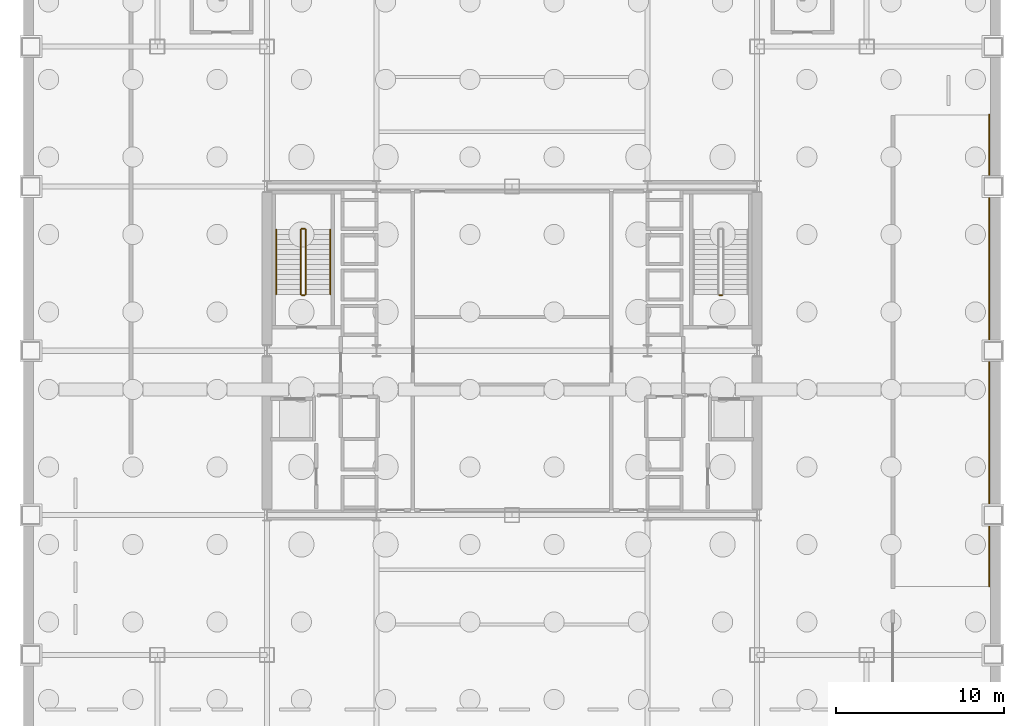
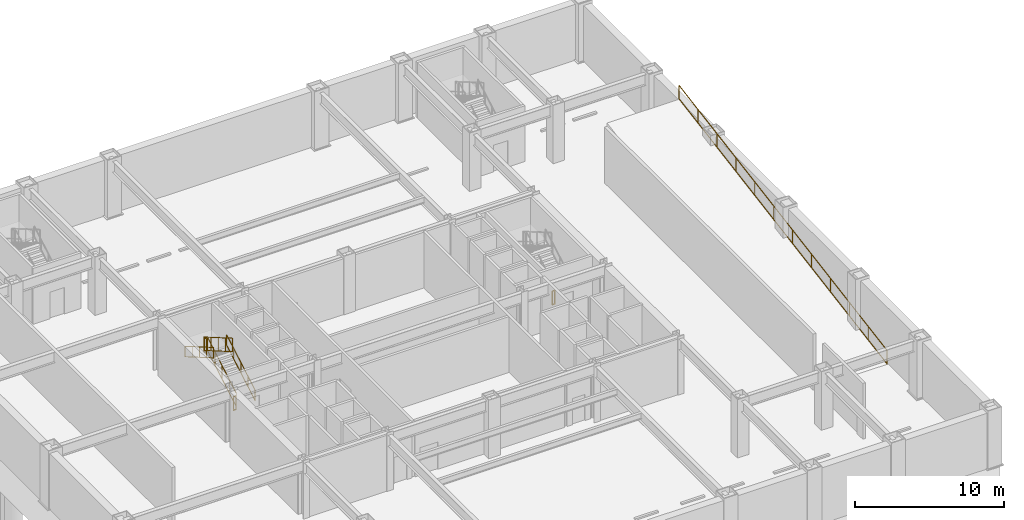
# One storey, part 6 of 8: 8 railings.
"""IFC4 building model written with IfcOpenShell, lengths in metres."""

from ifc_helpers import new_model, si_unit, direction, frame, origin, origin_2d, place, context, subcontext, project, spatial, rectangle, extrude, material, type_object, element, save


model = new_model("IFC4")

# Units and contexts
model_context = context("Model", 3, precision=1e-05, world=origin(), true_north=direction((0.0, 1.0)))
body_context = subcontext(model_context, "Body", "Model", "MODEL_VIEW")
ifc_project = project(units=[si_unit("LENGTHUNIT", "METRE"), si_unit("AREAUNIT", "SQUARE_METRE"), si_unit("VOLUMEUNIT", "CUBIC_METRE"), si_unit("PLANEANGLEUNIT", "RADIAN"), si_unit("MASSUNIT", "GRAM", prefix="KILO")], contexts=[model_context])

# Site, building, storey
site_placement = place(None, origin())
site = spatial("IfcSite", under=ifc_project, at=site_placement, CompositionType="ELEMENT")
building_placement = place(site_placement, origin())
building = spatial("IfcBuilding", under=site, at=building_placement, Name="Brelmoor Portico Tower", CompositionType="ELEMENT")
storey_placement = place(building_placement, frame((0.0, 0.0, -9.60009765625)))
storey = spatial("IfcBuildingStorey", under=building, at=storey_placement, Name="B2", CompositionType="ELEMENT", Elevation=-9.60009765625)

# Railings
ifc_material_1 = material(Name="Painted Tubular Steel Q235B", Category="steel")
railing_type_1 = type_object("IfcRailingType", Name="RL-STAIR-GUARD", PredefinedType="GUARDRAIL", material=ifc_material_1)
railing_1_placement = place(storey_placement, frame((-12.239990234375, 3.35009765625, 0.171630859375)))
element("IfcRailing", 1, at=railing_1_placement, inside=storey, type_object=railing_type_1, Name="B2 ST-W stair guard 1", PredefinedType="GUARDRAIL", context=body_context, shape_type="SweptSolid", body=[
    extrude(rectangle(XDim=0.048095703125, YDim=0.048095703125, at=origin_2d()), frame((0.0, 0.0, 1.1259765625), z_axis=(0.0, 0.86461618451, 0.502432934314), x_axis=(-1.0, 0.0, 0.0)), (0.0, 0.0, 1.0), 4.435546875),
    extrude(rectangle(XDim=0.048095703125, YDim=0.048095703125, at=origin_2d()), frame((0.0, 0.0, 0.02392578125), z_axis=(0.0, 0.86461618451, 0.502432934314), x_axis=(-1.0, 0.0, 0.0)), (0.0, 0.0, 1.0), 4.435546875),
    extrude(rectangle(XDim=0.0419921875, YDim=0.0419921875, at=origin_2d()), origin(), (0.0, 0.0, 1.0), 1.101806640625),
    extrude(rectangle(XDim=0.0419921875, YDim=0.0419921875, at=origin_2d()), frame((0.0, 0.958740234375, 0.55712890625)), (0.0, 0.0, 1.0), 1.101806640625),
    extrude(rectangle(XDim=0.0419921875, YDim=0.0419921875, at=origin_2d()), frame((0.0, 1.91748046875, 1.1142578125)), (0.0, 0.0, 1.0), 1.101806640625),
    extrude(rectangle(XDim=0.0419921875, YDim=0.0419921875, at=origin_2d()), frame((0.0, 2.876220703125, 1.67138671875)), (0.0, 0.0, 1.0), 1.101806640625),
    extrude(rectangle(XDim=0.0419921875, YDim=0.0419921875, at=origin_2d()), frame((0.0, 3.8349609375, 2.228515625)), (0.0, 0.0, 1.0), 1.101806640625),
])
railing_2_placement = place(storey_placement, frame((-12.2900390625, 7.235107421875, 2.400146484375)))
element("IfcRailing", 2, at=railing_2_placement, inside=storey, type_object=railing_type_1, Name="B2 ST-W stair guard 2", PredefinedType="GUARDRAIL", context=body_context, shape_type="SweptSolid", body=[
    extrude(rectangle(XDim=0.048095703125, YDim=0.048095703125, at=origin_2d()), frame((0.0, 0.0, 1.1259765625), z_axis=(-1.0, 0.0, 0.0), x_axis=(0.0, -1.0, 0.0)), (0.0, 0.0, 1.0), 0.199951171875),
    extrude(rectangle(XDim=0.048095703125, YDim=0.048095703125, at=origin_2d()), frame((0.0, 0.0, 0.02392578125), z_axis=(-1.0, 0.0, 0.0), x_axis=(0.0, -1.0, 0.0)), (0.0, 0.0, 1.0), 0.199951171875),
    extrude(rectangle(XDim=0.0419921875, YDim=0.0419921875, at=origin_2d()), origin(), (0.0, 0.0, 1.0), 1.101806640625),
    extrude(rectangle(XDim=0.0419921875, YDim=0.0419921875, at=origin_2d()), frame((-0.199951171875, 0.0, 0.0)), (0.0, 0.0, 1.0), 1.101806640625),
])
railing_3_placement = place(storey_placement, frame((-12.5400390625, 7.18505859375, 2.571533203125)))
element("IfcRailing", 3, at=railing_3_placement, inside=storey, type_object=railing_type_1, Name="B2 ST-W stair guard 3", PredefinedType="GUARDRAIL", context=body_context, shape_type="SweptSolid", body=[
    extrude(rectangle(XDim=0.048095703125, YDim=0.048095703125, at=origin_2d()), frame((0.0, 0.0, 1.1259765625), z_axis=(0.0, -0.86461618451, 0.502432934314), x_axis=(1.0, 0.0, 0.0)), (0.0, 0.0, 1.0), 4.435546875),
    extrude(rectangle(XDim=0.048095703125, YDim=0.048095703125, at=origin_2d()), frame((0.0, 0.0, 0.02392578125), z_axis=(0.0, -0.86461618451, 0.502432934314), x_axis=(1.0, 0.0, 0.0)), (0.0, 0.0, 1.0), 4.435546875),
    extrude(rectangle(XDim=0.0419921875, YDim=0.0419921875, at=origin_2d()), origin(), (0.0, 0.0, 1.0), 1.101806640625),
    extrude(rectangle(XDim=0.0419921875, YDim=0.0419921875, at=origin_2d()), frame((0.0, -0.958740234375, 0.55712890625)), (0.0, 0.0, 1.0), 1.101806640625),
    extrude(rectangle(XDim=0.0419921875, YDim=0.0419921875, at=origin_2d()), frame((0.0, -1.91748046875, 1.1142578125)), (0.0, 0.0, 1.0), 1.101806640625),
    extrude(rectangle(XDim=0.0419921875, YDim=0.0419921875, at=origin_2d()), frame((0.0, -2.876220703125, 1.67138671875)), (0.0, 0.0, 1.0), 1.101806640625),
    extrude(rectangle(XDim=0.0419921875, YDim=0.0419921875, at=origin_2d()), frame((0.0, -3.8349609375, 2.228515625)), (0.0, 0.0, 1.0), 1.101806640625),
])
for number, where, name in (
    (4, (-12.2900390625, 3.300048828125, 0.0), "B2 ST-W stair guard 4"),
    (5, (12.489990234375, 3.300048828125, 0.0), "B2 ST-E stair guard 4"),
):
    element("IfcRailing", number, at=place(storey_placement, frame(where)), inside=storey, type_object=railing_type_1, Name=name, PredefinedType="GUARDRAIL", context=body_context, shape_type="SweptSolid", body=[
        extrude(rectangle(XDim=0.048095703125, YDim=0.048095703125, at=origin_2d()), frame((0.0, 0.0, 1.1259765625), z_axis=(-1.0, 0.0, 0.0), x_axis=(0.0, -1.0, 0.0)), (0.0, 0.0, 1.0), 0.199951171875),
        extrude(rectangle(XDim=0.048095703125, YDim=0.048095703125, at=origin_2d()), frame((0.0, 0.0, 0.02392578125), z_axis=(-1.0, 0.0, 0.0), x_axis=(0.0, -1.0, 0.0)), (0.0, 0.0, 1.0), 0.199951171875),
        extrude(rectangle(XDim=0.0419921875, YDim=0.0419921875, at=origin_2d()), origin(), (0.0, 0.0, 1.0), 1.101806640625),
        extrude(rectangle(XDim=0.0419921875, YDim=0.0419921875, at=origin_2d()), frame((-0.199951171875, 0.0, 0.0)), (0.0, 0.0, 1.0), 1.101806640625),
    ])
railing_4_placement = place(storey_placement, frame((28.320068359375, -14.0, 0.0)))
element("IfcRailing", 6, at=railing_4_placement, inside=storey, type_object=railing_type_1, Name="Vehicle Ramp VR-2 Outer Curb Guardrail", PredefinedType="GUARDRAIL", context=body_context, shape_type="SweptSolid", body=[
    extrude(rectangle(XDim=0.048095703125, YDim=0.048095703125, at=origin_2d()), frame((0.0, 0.0, 1.1259765625), z_axis=(0.0, 0.985621968574, 0.16896548483), x_axis=(-1.0, 0.0, 0.0)), (0.0, 0.0, 1.0), 28.408447265625),
    extrude(rectangle(XDim=0.048095703125, YDim=0.048095703125, at=origin_2d()), frame((0.0, 0.0, 0.02392578125), z_axis=(0.0, 0.985621968574, 0.16896548483), x_axis=(-1.0, 0.0, 0.0)), (0.0, 0.0, 1.0), 28.408447265625),
    extrude(rectangle(XDim=0.0419921875, YDim=0.0419921875, at=origin_2d()), origin(), (0.0, 0.0, 1.0), 1.101806640625),
    extrude(rectangle(XDim=0.0419921875, YDim=0.0419921875, at=origin_2d()), frame((0.0, 2.54541015625, 0.436279296875)), (0.0, 0.0, 1.0), 1.101806640625),
    extrude(rectangle(XDim=0.0419921875, YDim=0.0419921875, at=origin_2d()), frame((0.0, 5.0908203125, 0.872802734375)), (0.0, 0.0, 1.0), 1.101806640625),
    extrude(rectangle(XDim=0.0419921875, YDim=0.0419921875, at=origin_2d()), frame((0.0, 7.636474609375, 1.30908203125)), (0.0, 0.0, 1.0), 1.101806640625),
    extrude(rectangle(XDim=0.0419921875, YDim=0.0419921875, at=origin_2d()), frame((0.0, 10.181884765625, 1.745361328125)), (0.0, 0.0, 1.0), 1.101806640625),
    extrude(rectangle(XDim=0.0419921875, YDim=0.0419921875, at=origin_2d()), frame((0.0, 12.727294921875, 2.181884765625)), (0.0, 0.0, 1.0), 1.101806640625),
    extrude(rectangle(XDim=0.0419921875, YDim=0.0419921875, at=origin_2d()), frame((0.0, 15.272705078125, 2.6181640625)), (0.0, 0.0, 1.0), 1.101806640625),
    extrude(rectangle(XDim=0.0419921875, YDim=0.0419921875, at=origin_2d()), frame((0.0, 17.818115234375, 3.0546875)), (0.0, 0.0, 1.0), 1.101806640625),
    extrude(rectangle(XDim=0.0419921875, YDim=0.0419921875, at=origin_2d()), frame((0.0, 20.363525390625, 3.490966796875)), (0.0, 0.0, 1.0), 1.101806640625),
    extrude(rectangle(XDim=0.0419921875, YDim=0.0419921875, at=origin_2d()), frame((0.0, 22.9091796875, 3.92724609375)), (0.0, 0.0, 1.0), 1.101806640625),
    extrude(rectangle(XDim=0.0419921875, YDim=0.0419921875, at=origin_2d()), frame((0.0, 25.45458984375, 4.36376953125)), (0.0, 0.0, 1.0), 1.101806640625),
    extrude(rectangle(XDim=0.0419921875, YDim=0.0419921875, at=origin_2d()), frame((0.0, 28.0, 4.800048828125)), (0.0, 0.0, 1.0), 1.101806640625),
])
ifc_material_2 = material(Name="Brushed Stainless Steel 304", Category="steel")
railing_type_2 = type_object("IfcRailingType", Name="RL-STAIR-HANDRAIL", PredefinedType="HANDRAIL", material=ifc_material_2)
railing_5_placement = place(storey_placement, frame((-10.780029296875, 3.35009765625, 0.171630859375)))
element("IfcRailing", 7, at=railing_5_placement, inside=storey, type_object=railing_type_2, Name="B2 ST-W stair handrail 1", PredefinedType="HANDRAIL", context=body_context, shape_type="SweptSolid", body=[
    extrude(rectangle(XDim=0.048095703125, YDim=0.048095703125, at=origin_2d()), frame((0.0, 0.0, 0.8759765625), z_axis=(0.0, 0.86461618451, 0.502432934314), x_axis=(-1.0, 0.0, 0.0)), (0.0, 0.0, 1.0), 4.435546875),
    extrude(rectangle(XDim=0.048095703125, YDim=0.048095703125, at=origin_2d()), frame((0.0, 0.0, 0.02392578125), z_axis=(0.0, 0.86461618451, 0.502432934314), x_axis=(-1.0, 0.0, 0.0)), (0.0, 0.0, 1.0), 4.435546875),
    extrude(rectangle(XDim=0.0419921875, YDim=0.0419921875, at=origin_2d()), origin(), (0.0, 0.0, 1.0), 0.851806640625),
    extrude(rectangle(XDim=0.0419921875, YDim=0.0419921875, at=origin_2d()), frame((0.0, 0.958740234375, 0.55712890625)), (0.0, 0.0, 1.0), 0.851806640625),
    extrude(rectangle(XDim=0.0419921875, YDim=0.0419921875, at=origin_2d()), frame((0.0, 1.91748046875, 1.1142578125)), (0.0, 0.0, 1.0), 0.851806640625),
    extrude(rectangle(XDim=0.0419921875, YDim=0.0419921875, at=origin_2d()), frame((0.0, 2.876220703125, 1.67138671875)), (0.0, 0.0, 1.0), 0.851806640625),
    extrude(rectangle(XDim=0.0419921875, YDim=0.0419921875, at=origin_2d()), frame((0.0, 3.8349609375, 2.228515625)), (0.0, 0.0, 1.0), 0.851806640625),
])
railing_6_placement = place(storey_placement, frame((-14.0, 7.18505859375, 2.571533203125)))
element("IfcRailing", 8, at=railing_6_placement, inside=storey, type_object=railing_type_2, Name="B2 ST-W stair handrail 2", PredefinedType="HANDRAIL", context=body_context, shape_type="SweptSolid", body=[
    extrude(rectangle(XDim=0.048095703125, YDim=0.048095703125, at=origin_2d()), frame((0.0, 0.0, 0.8759765625), z_axis=(0.0, -0.86461618451, 0.502432934314), x_axis=(1.0, 0.0, 0.0)), (0.0, 0.0, 1.0), 4.435546875),
    extrude(rectangle(XDim=0.048095703125, YDim=0.048095703125, at=origin_2d()), frame((0.0, 0.0, 0.02392578125), z_axis=(0.0, -0.86461618451, 0.502432934314), x_axis=(1.0, 0.0, 0.0)), (0.0, 0.0, 1.0), 4.435546875),
    extrude(rectangle(XDim=0.0419921875, YDim=0.0419921875, at=origin_2d()), origin(), (0.0, 0.0, 1.0), 0.851806640625),
    extrude(rectangle(XDim=0.0419921875, YDim=0.0419921875, at=origin_2d()), frame((0.0, -0.958740234375, 0.55712890625)), (0.0, 0.0, 1.0), 0.851806640625),
    extrude(rectangle(XDim=0.0419921875, YDim=0.0419921875, at=origin_2d()), frame((0.0, -1.91748046875, 1.1142578125)), (0.0, 0.0, 1.0), 0.851806640625),
    extrude(rectangle(XDim=0.0419921875, YDim=0.0419921875, at=origin_2d()), frame((0.0, -2.876220703125, 1.67138671875)), (0.0, 0.0, 1.0), 0.851806640625),
    extrude(rectangle(XDim=0.0419921875, YDim=0.0419921875, at=origin_2d()), frame((0.0, -3.8349609375, 2.228515625)), (0.0, 0.0, 1.0), 0.851806640625),
])

save(model, "model.ifc")
